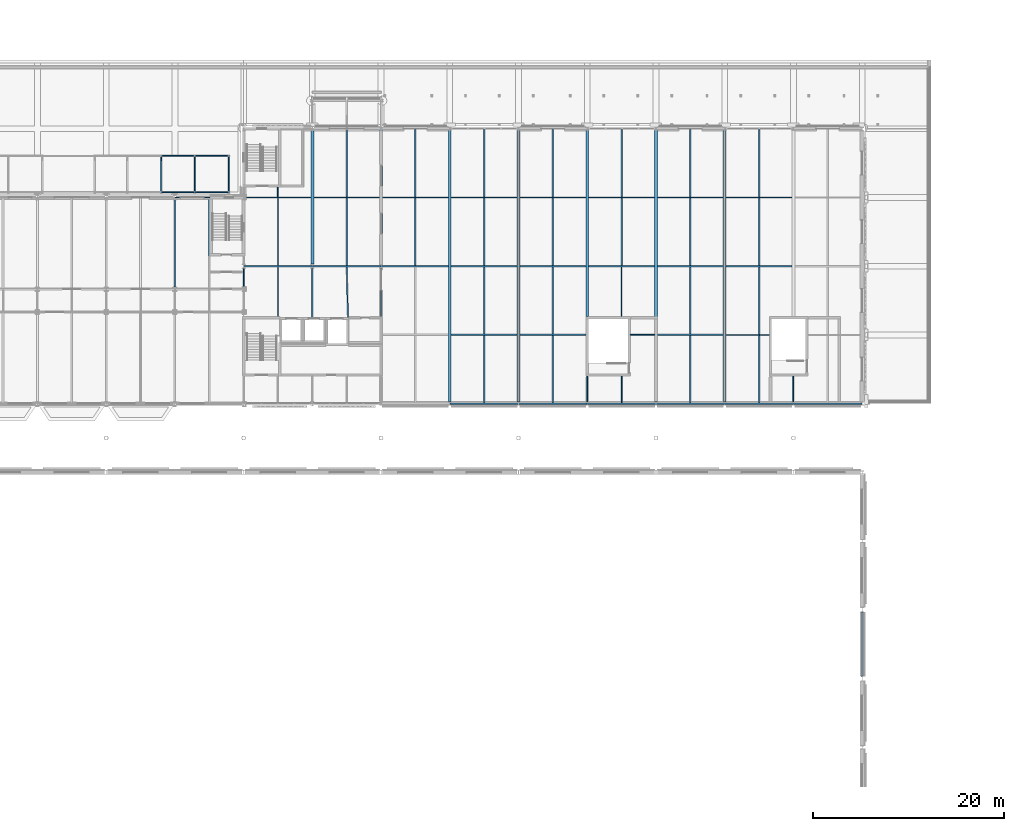
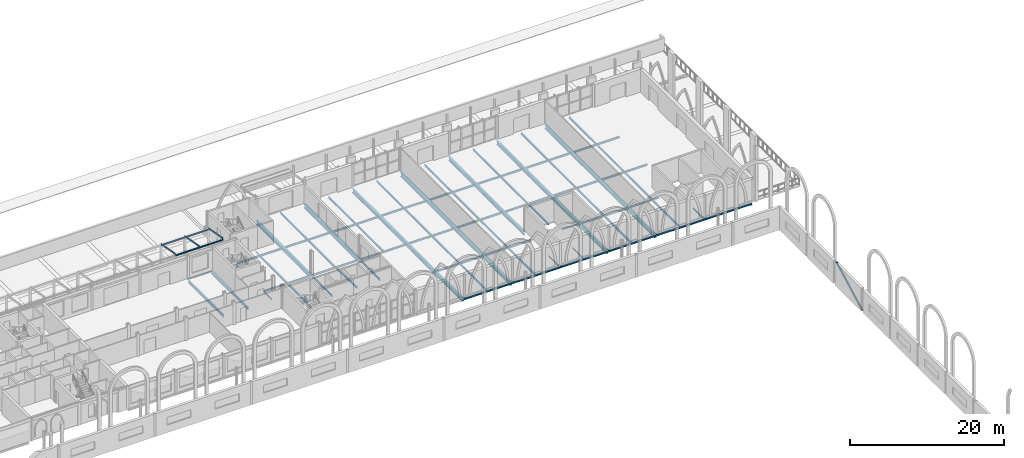
# One storey, part 56 of 143: 77 beams, 1 member.
"""IFC4 building model written with IfcOpenShell, lengths in metres."""

from ifc_helpers import new_model, si_unit, direction, frame, origin, origin_2d, place, context, subcontext, project, spatial, hollow_circle, i_section, extrude, material, material_profile, profile_set, type_object, element, save


model = new_model("IFC4")

# Units and contexts
model_context = context("Model", 3, precision=1e-05, world=origin(), true_north=direction((0.0, 1.0)))
body_context = subcontext(model_context, "Body", "Model", "MODEL_VIEW")
ifc_project = project(units=[si_unit("LENGTHUNIT", "METRE"), si_unit("AREAUNIT", "SQUARE_METRE"), si_unit("VOLUMEUNIT", "CUBIC_METRE"), si_unit("PLANEANGLEUNIT", "RADIAN"), si_unit("MASSUNIT", "GRAM", prefix="KILO")], contexts=[model_context])

# Site, building, storey
site_placement = place(None, origin())
site = spatial("IfcSite", under=ifc_project, at=site_placement, CompositionType="ELEMENT")
building_placement = place(site_placement, origin())
building = spatial("IfcBuilding", under=site, at=building_placement, Name="Kupolbacken Congress Centre", CompositionType="ELEMENT")
storey_placement = place(building_placement, frame((0.0, 0.0, 7.199951171875)))
storey = spatial("IfcBuildingStorey", under=building, at=storey_placement, Name="L02", CompositionType="ELEMENT", Elevation=7.199951171875)

# Beams
ifc_material_1 = material(Name="Steel S355", Category="steel")
ifc_material_profile_1 = material_profile(ifc_material_1, i_section(OverallWidth=0.10009765625, OverallDepth=0.199951171875, WebThickness=0.005615234375, FlangeThickness=0.008544921875, FilletRadius=0.011962890625, at=origin_2d()), Name="IPE 200")
ifc_profile_set_1 = profile_set([ifc_material_profile_1], Name="Steel S355")
beam_type_1 = type_object("IfcBeamType", Name="B01 beam IPE 200", PredefinedType="BEAM", material=ifc_profile_set_1)
beam_1_placement = place(storey_placement, frame((129.610595703125, 144.0, -0.280029296875), z_axis=(1.0, 0.0, 0.0), x_axis=(0.0, 1.0, 0.0)))
element("IfcBeam", 1, at=beam_1_placement, inside=storey, type_object=beam_type_1, Name="S/floor/T/L02/R030", PredefinedType="BEAM", context=body_context, shape_type="SweptSolid", body=[
    extrude(i_section(OverallWidth=0.10009765625, OverallDepth=0.199951171875, WebThickness=0.005615234375, FlangeThickness=0.008544921875, FilletRadius=0.011962890625, at=origin_2d()), origin(), (0.0, 0.0, 1.0), 3.639404296875),
])
beam_2_placement = place(storey_placement, frame((136.800048828125, 134.625, -0.280029296875), z_axis=(0.0, 1.0, 0.0), x_axis=(-1.0, 0.0, 0.0)))
element("IfcBeam", 2, at=beam_2_placement, inside=storey, type_object=beam_type_1, Name="S/floor/T/L02/S078", PredefinedType="BEAM", context=body_context, shape_type="SweptSolid", body=[
    extrude(i_section(OverallWidth=0.10009765625, OverallDepth=0.199951171875, WebThickness=0.005615234375, FlangeThickness=0.008544921875, FilletRadius=0.011962890625, at=origin_2d()), origin(), (0.0, 0.0, 1.0), 1.949951171875),
])
beam_3_placement = place(storey_placement, frame((140.39990234375, 144.074951171875, -0.280029296875), z_axis=(0.0, 1.0, 0.0), x_axis=(-1.0, 0.0, 0.0)))
element("IfcBeam", 3, at=beam_3_placement, inside=storey, type_object=beam_type_1, Name="S/floor/BF/L02/S019", PredefinedType="BEAM", context=body_context, shape_type="SweptSolid", body=[
    extrude(i_section(OverallWidth=0.10009765625, OverallDepth=0.199951171875, WebThickness=0.005615234375, FlangeThickness=0.008544921875, FilletRadius=0.011962890625, at=origin_2d()), origin(), (0.0, 0.0, 1.0), 1.0),
])
for number, where, z_axis, x_axis, name in (
    (4, (172.800048828125, 122.550048828125, -0.320068359375), (0.0, 1.0, 0.0), (-1.0, 0.0, 0.0), "S/floor/B/L02/G003"),
    (5, (194.39990234375, 122.550048828125, -0.320068359375), (0.0, 1.0, 0.0), (-1.0, 0.0, 0.0), "S/floor/B/L02/G007"),
):
    element("IfcBeam", number, at=place(storey_placement, frame(where, z_axis=z_axis, x_axis=x_axis)), inside=storey, type_object=beam_type_1, Name=name, PredefinedType="BEAM", context=body_context, shape_type="SweptSolid", body=[
        extrude(i_section(OverallWidth=0.10009765625, OverallDepth=0.199951171875, WebThickness=0.005615234375, FlangeThickness=0.008544921875, FilletRadius=0.011962890625, at=origin_2d()), origin(), (0.0, 0.0, 1.0), 2.724853515625),
    ])
beam_4_placement = place(storey_placement, frame((177.324951171875, 129.60009765625, -0.320068359375), z_axis=(1.0, 0.0, 0.0), x_axis=(0.0, 1.0, 0.0)))
element("IfcBeam", 6, at=beam_4_placement, inside=storey, type_object=beam_type_1, Name="S/floor/B/L02/R020", PredefinedType="BEAM", context=body_context, shape_type="SweptSolid", body=[
    extrude(i_section(OverallWidth=0.10009765625, OverallDepth=0.199951171875, WebThickness=0.005615234375, FlangeThickness=0.008544921875, FilletRadius=0.011962890625, at=origin_2d()), origin(), (0.0, 0.0, 1.0), 2.525146484375),
])
beam_5_placement = place(storey_placement, frame((176.39990234375, 122.47509765625, -0.320068359375), z_axis=(0.0, 1.0, 0.0), x_axis=(-1.0, 0.0, 0.0)))
element("IfcBeam", 7, at=beam_5_placement, inside=storey, type_object=beam_type_1, Name="S/floor/B/L02/S057", PredefinedType="BEAM", context=body_context, shape_type="SweptSolid", body=[
    extrude(i_section(OverallWidth=0.10009765625, OverallDepth=0.199951171875, WebThickness=0.005615234375, FlangeThickness=0.008544921875, FilletRadius=0.011962890625, at=origin_2d()), origin(), (0.0, 0.0, 1.0), 2.7998046875),
])
for number, where, z_axis, x_axis, name in (
    (8, (128.14990234375, 144.550048828125, 3.68994140625), (1.0, 0.0, 0.0), (0.0, 1.0, 0.0), "Covered passage eaves beam"),
    (9, (128.14990234375, 148.35009765625, 2.989990234375), (1.0, 0.0, 0.0), (0.0, 1.0, 0.0), "Covered passage eaves beam"),
    (10, (131.699951171875, 144.550048828125, 3.68994140625), (1.0, 0.0, 0.0), (0.0, 1.0, 0.0), "Covered passage eaves beam"),
    (11, (131.699951171875, 148.35009765625, 2.989990234375), (1.0, 0.0, 0.0), (0.0, 1.0, 0.0), "Covered passage eaves beam"),
):
    element("IfcBeam", number, at=place(storey_placement, frame(where, z_axis=z_axis, x_axis=x_axis)), inside=storey, type_object=beam_type_1, Name=name, PredefinedType="BEAM", context=body_context, shape_type="SweptSolid", body=[
        extrude(i_section(OverallWidth=0.10009765625, OverallDepth=0.199951171875, WebThickness=0.005615234375, FlangeThickness=0.008544921875, FilletRadius=0.011962890625, at=origin_2d()), origin(), (0.0, 0.0, 1.0), 3.550048828125),
    ])
for number, where, z_axis, x_axis, name in (
    (12, (128.14990234375, 144.550048828125, 3.89013671875), (0.0, 0.983444596616, -0.181209065409), (-1.0, 0.0, 0.0), "Covered passage rafter"),
    (13, (131.699951171875, 144.550048828125, 3.89013671875), (0.0, 0.983444596616, -0.181209065409), (-1.0, 0.0, 0.0), "Covered passage rafter"),
    (14, (135.25, 144.550048828125, 3.89013671875), (0.0, 0.983444596616, -0.181209065409), (-1.0, 0.0, 0.0), "Covered passage rafter"),
):
    element("IfcBeam", number, at=place(storey_placement, frame(where, z_axis=z_axis, x_axis=x_axis)), inside=storey, type_object=beam_type_1, Name=name, PredefinedType="BEAM", context=body_context, shape_type="SweptSolid", body=[
        extrude(i_section(OverallWidth=0.10009765625, OverallDepth=0.199951171875, WebThickness=0.005615234375, FlangeThickness=0.008544921875, FilletRadius=0.011962890625, at=origin_2d()), origin(), (0.0, 0.0, 1.0), 3.864013671875),
    ])
ifc_material_2 = material(Name="Steel S355", Category="steel")
ifc_material_profile_2 = material_profile(ifc_material_2, i_section(OverallWidth=0.135009765625, OverallDepth=0.27001953125, WebThickness=0.006591796875, FlangeThickness=0.01025390625, FilletRadius=0.014892578125, at=origin_2d()), Name="IPE 270")
ifc_profile_set_2 = profile_set([ifc_material_profile_2], Name="Steel S355")
beam_type_2 = type_object("IfcBeamType", Name="B03 beam IPE 270", PredefinedType="BEAM", material=ifc_profile_set_2)
beam_6_placement = place(storey_placement, frame((144.0, 131.39990234375, -0.31494140625), z_axis=(0.0, 1.0, 0.0), x_axis=(-1.0, 0.0, 0.0)))
element("IfcBeam", 15, at=beam_6_placement, inside=storey, type_object=beam_type_2, Name="S/floor/BF/L02/G003", PredefinedType="BEAM", context=body_context, shape_type="SweptSolid", body=[
    extrude(i_section(OverallWidth=0.135009765625, OverallDepth=0.27001953125, WebThickness=0.006591796875, FlangeThickness=0.01025390625, FilletRadius=0.014892578125, at=origin_2d()), origin(), (0.0, 0.0, 1.0), 5.175048828125),
])
beam_7_placement = place(storey_placement, frame((151.199951171875, 131.5, -0.31494140625), z_axis=(0.0, 1.0, 0.0), x_axis=(-1.0, 0.0, 0.0)))
element("IfcBeam", 16, at=beam_7_placement, inside=storey, type_object=beam_type_2, Name="S/floor/BF/L02/G006", PredefinedType="BEAM", context=body_context, shape_type="SweptSolid", body=[
    extrude(i_section(OverallWidth=0.135009765625, OverallDepth=0.27001953125, WebThickness=0.006591796875, FlangeThickness=0.01025390625, FilletRadius=0.014892578125, at=origin_2d()), origin(), (0.0, 0.0, 1.0), 5.14990234375),
])
beam_8_placement = place(storey_placement, frame((140.39990234375, 131.52490234375, -0.31494140625), z_axis=(0.0, 1.0, 0.0), x_axis=(-1.0, 0.0, 0.0)))
element("IfcBeam", 17, at=beam_8_placement, inside=storey, type_object=beam_type_2, Name="S/floor/BF/L02/S017", PredefinedType="BEAM", context=body_context, shape_type="SweptSolid", body=[
    extrude(i_section(OverallWidth=0.135009765625, OverallDepth=0.27001953125, WebThickness=0.006591796875, FlangeThickness=0.01025390625, FilletRadius=0.014892578125, at=origin_2d()), origin(), (0.0, 0.0, 1.0), 5.2001953125),
])
beam_9_placement = place(storey_placement, frame((147.732666015625, 131.39990234375, -0.31494140625), z_axis=(-0.02488684298, 0.999690274558, 0.0), x_axis=(-0.999690274558, -0.02488684298, 0.0)))
element("IfcBeam", 18, at=beam_9_placement, inside=storey, type_object=beam_type_2, Name="S/floor/BF/L02/S021", PredefinedType="BEAM", context=body_context, shape_type="SweptSolid", body=[
    extrude(i_section(OverallWidth=0.135009765625, OverallDepth=0.27001953125, WebThickness=0.006591796875, FlangeThickness=0.01025390625, FilletRadius=0.014892578125, at=origin_2d()), origin(), (0.0, 0.0, 1.0), 5.326904296875),
])
beam_10_placement = place(storey_placement, frame((187.35009765625, 129.60009765625, -0.35498046875), z_axis=(1.0, 0.0, 0.0), x_axis=(0.0, 1.0, 0.0)))
element("IfcBeam", 19, at=beam_10_placement, inside=storey, type_object=beam_type_2, Name="S/floor/B/L02/R022", PredefinedType="BEAM", context=body_context, shape_type="SweptSolid", body=[
    extrude(i_section(OverallWidth=0.135009765625, OverallDepth=0.27001953125, WebThickness=0.006591796875, FlangeThickness=0.01025390625, FilletRadius=0.014892578125, at=origin_2d()), origin(), (0.0, 0.0, 1.0), 4.52490234375),
])
beam_11_placement = place(storey_placement, frame((176.39990234375, 131.52490234375, -0.35498046875), z_axis=(0.0, 1.0, 0.0), x_axis=(-1.0, 0.0, 0.0)))
element("IfcBeam", 20, at=beam_11_placement, inside=storey, type_object=beam_type_2, Name="S/floor/B/L02/S058", PredefinedType="BEAM", context=body_context, shape_type="SweptSolid", body=[
    extrude(i_section(OverallWidth=0.135009765625, OverallDepth=0.27001953125, WebThickness=0.006591796875, FlangeThickness=0.01025390625, FilletRadius=0.014892578125, at=origin_2d()), origin(), (0.0, 0.0, 1.0), 5.2001953125),
])
ifc_material_3 = material(Name="Steel S355", Category="steel")
ifc_material_profile_3 = material_profile(ifc_material_3, i_section(OverallWidth=0.14990234375, OverallDepth=0.300048828125, WebThickness=0.007080078125, FlangeThickness=0.0107421875, FilletRadius=0.014892578125, at=origin_2d()), Name="IPE 300")
ifc_profile_set_3 = profile_set([ifc_material_profile_3], Name="Steel S355")
beam_type_3 = type_object("IfcBeamType", Name="B04 beam IPE 300", PredefinedType="BEAM", material=ifc_profile_set_3)
beam_12_placement = place(storey_placement, frame((136.806884765625, 136.800048828125, -0.329833984375), z_axis=(1.0, 0.0, 0.0), x_axis=(0.0, 1.0, 0.0)))
element("IfcBeam", 21, at=beam_12_placement, inside=storey, type_object=beam_type_3, Name="S/floor/BF/L02/R010", PredefinedType="BEAM", context=body_context, shape_type="SweptSolid", body=[
    extrude(i_section(OverallWidth=0.14990234375, OverallDepth=0.300048828125, WebThickness=0.007080078125, FlangeThickness=0.0107421875, FilletRadius=0.014892578125, at=origin_2d()), origin(), (0.0, 0.0, 1.0), 7.18603515625),
])
beam_13_placement = place(storey_placement, frame((144.007080078125, 136.800048828125, -0.329833984375), z_axis=(1.0, 0.0, 0.0), x_axis=(0.0, 1.0, 0.0)))
element("IfcBeam", 22, at=beam_13_placement, inside=storey, type_object=beam_type_3, Name="S/floor/BF/L02/R011", PredefinedType="BEAM", context=body_context, shape_type="SweptSolid", body=[
    extrude(i_section(OverallWidth=0.14990234375, OverallDepth=0.300048828125, WebThickness=0.007080078125, FlangeThickness=0.0107421875, FilletRadius=0.014892578125, at=origin_2d()), origin(), (0.0, 0.0, 1.0), 7.1875),
])
for number, where, z_axis, x_axis, name in (
    (23, (136.949951171875, 144.0, -0.329833984375), (1.0, 0.0, 0.0), (0.0, 1.0, 0.0), "S/floor/BF/L02/R012"),
    (24, (144.14990234375, 144.0, -0.329833984375), (1.0, 0.0, 0.0), (0.0, 1.0, 0.0), "S/floor/BF/L02/R013"),
):
    element("IfcBeam", number, at=place(storey_placement, frame(where, z_axis=z_axis, x_axis=x_axis)), inside=storey, type_object=beam_type_3, Name=name, PredefinedType="BEAM", context=body_context, shape_type="SweptSolid", body=[
        extrude(i_section(OverallWidth=0.14990234375, OverallDepth=0.300048828125, WebThickness=0.007080078125, FlangeThickness=0.0107421875, FilletRadius=0.014892578125, at=origin_2d()), origin(), (0.0, 0.0, 1.0), 6.900146484375),
    ])
for number, where, z_axis, x_axis, name in (
    (25, (140.39990234375, 136.875, -0.329833984375), (0.0, 1.0, 0.0), (-1.0, 0.0, 0.0), "S/floor/BF/L02/S018"),
    (26, (147.60009765625, 136.875, -0.329833984375), (0.0, 1.0, 0.0), (-1.0, 0.0, 0.0), "S/floor/BF/L02/S022"),
    (27, (147.60009765625, 144.074951171875, -0.329833984375), (0.0, 1.0, 0.0), (-1.0, 0.0, 0.0), "S/floor/BF/L02/S023"),
):
    element("IfcBeam", number, at=place(storey_placement, frame(where, z_axis=z_axis, x_axis=x_axis)), inside=storey, type_object=beam_type_3, Name=name, PredefinedType="BEAM", context=body_context, shape_type="SweptSolid", body=[
        extrude(i_section(OverallWidth=0.14990234375, OverallDepth=0.300048828125, WebThickness=0.007080078125, FlangeThickness=0.0107421875, FilletRadius=0.014892578125, at=origin_2d()), origin(), (0.0, 0.0, 1.0), 7.050048828125),
    ])
for number, where, z_axis, x_axis, name in (
    (28, (158.405517578125, 122.39990234375, -0.369873046875), (1.0, 0.0, 0.0), (0.0, 1.0, 0.0), "S/floor/B/L02/R011"),
    (29, (165.60546875, 122.39990234375, -0.369873046875), (1.0, 0.0, 0.0), (0.0, 1.0, 0.0), "S/floor/B/L02/R012"),
    (30, (172.805419921875, 122.39990234375, -0.369873046875), (1.0, 0.0, 0.0), (0.0, 1.0, 0.0), "S/floor/B/L02/R013"),
    (31, (180.005615234375, 122.39990234375, -0.369873046875), (1.0, 0.0, 0.0), (0.0, 1.0, 0.0), "S/floor/B/L02/R014"),
    (32, (187.20556640625, 122.39990234375, -0.369873046875), (1.0, 0.0, 0.0), (0.0, 1.0, 0.0), "S/floor/B/L02/R015"),
    (33, (194.405517578125, 122.39990234375, -0.369873046875), (1.0, 0.0, 0.0), (0.0, 1.0, 0.0), "S/floor/B/L02/R016"),
):
    element("IfcBeam", number, at=place(storey_placement, frame(where, z_axis=z_axis, x_axis=x_axis)), inside=storey, type_object=beam_type_3, Name=name, PredefinedType="BEAM", context=body_context, shape_type="SweptSolid", body=[
        extrude(i_section(OverallWidth=0.14990234375, OverallDepth=0.300048828125, WebThickness=0.007080078125, FlangeThickness=0.0107421875, FilletRadius=0.014892578125, at=origin_2d()), origin(), (0.0, 0.0, 1.0), 7.18896484375),
    ])
beam_14_placement = place(storey_placement, frame((158.550048828125, 129.60009765625, -0.369873046875), z_axis=(1.0, 0.0, 0.0), x_axis=(0.0, 1.0, 0.0)))
element("IfcBeam", 34, at=beam_14_placement, inside=storey, type_object=beam_type_3, Name="S/floor/B/L02/R018", PredefinedType="BEAM", context=body_context, shape_type="SweptSolid", body=[
    extrude(i_section(OverallWidth=0.14990234375, OverallDepth=0.300048828125, WebThickness=0.007080078125, FlangeThickness=0.0107421875, FilletRadius=0.014892578125, at=origin_2d()), origin(), (0.0, 0.0, 1.0), 6.89990234375),
])
beam_15_placement = place(storey_placement, frame((165.75, 129.60009765625, -0.369873046875), z_axis=(1.0, 0.0, 0.0), x_axis=(0.0, 1.0, 0.0)))
element("IfcBeam", 35, at=beam_15_placement, inside=storey, type_object=beam_type_3, Name="S/floor/B/L02/R019", PredefinedType="BEAM", context=body_context, shape_type="SweptSolid", body=[
    extrude(i_section(OverallWidth=0.14990234375, OverallDepth=0.300048828125, WebThickness=0.007080078125, FlangeThickness=0.0107421875, FilletRadius=0.014892578125, at=origin_2d()), origin(), (0.0, 0.0, 1.0), 6.925048828125),
])
beam_16_placement = place(storey_placement, frame((180.14990234375, 129.60009765625, -0.369873046875), z_axis=(1.0, 0.0, 0.0), x_axis=(0.0, 1.0, 0.0)))
element("IfcBeam", 36, at=beam_16_placement, inside=storey, type_object=beam_type_3, Name="S/floor/B/L02/R021", PredefinedType="BEAM", context=body_context, shape_type="SweptSolid", body=[
    extrude(i_section(OverallWidth=0.14990234375, OverallDepth=0.300048828125, WebThickness=0.007080078125, FlangeThickness=0.0107421875, FilletRadius=0.014892578125, at=origin_2d()), origin(), (0.0, 0.0, 1.0), 6.900146484375),
])
beam_17_placement = place(storey_placement, frame((151.20556640625, 136.800048828125, -0.369873046875), z_axis=(1.0, 0.0, 0.0), x_axis=(0.0, 1.0, 0.0)))
element("IfcBeam", 37, at=beam_17_placement, inside=storey, type_object=beam_type_3, Name="S/floor/B/L02/R024", PredefinedType="BEAM", context=body_context, shape_type="SweptSolid", body=[
    extrude(i_section(OverallWidth=0.14990234375, OverallDepth=0.300048828125, WebThickness=0.007080078125, FlangeThickness=0.0107421875, FilletRadius=0.014892578125, at=origin_2d()), origin(), (0.0, 0.0, 1.0), 7.04443359375),
])
for number, where, z_axis, x_axis, name in (
    (38, (158.550048828125, 136.800048828125, -0.369873046875), (1.0, 0.0, 0.0), (0.0, 1.0, 0.0), "S/floor/B/L02/R025"),
    (39, (165.75, 136.800048828125, -0.369873046875), (1.0, 0.0, 0.0), (0.0, 1.0, 0.0), "S/floor/B/L02/R026"),
):
    element("IfcBeam", number, at=place(storey_placement, frame(where, z_axis=z_axis, x_axis=x_axis)), inside=storey, type_object=beam_type_3, Name=name, PredefinedType="BEAM", context=body_context, shape_type="SweptSolid", body=[
        extrude(i_section(OverallWidth=0.14990234375, OverallDepth=0.300048828125, WebThickness=0.007080078125, FlangeThickness=0.0107421875, FilletRadius=0.014892578125, at=origin_2d()), origin(), (0.0, 0.0, 1.0), 6.89990234375),
    ])
for number, where, z_axis, x_axis, name in (
    (40, (172.949951171875, 136.800048828125, -0.369873046875), (1.0, 0.0, 0.0), (0.0, 1.0, 0.0), "S/floor/B/L02/R027"),
    (41, (180.14990234375, 136.800048828125, -0.369873046875), (1.0, 0.0, 0.0), (0.0, 1.0, 0.0), "S/floor/B/L02/R028"),
):
    element("IfcBeam", number, at=place(storey_placement, frame(where, z_axis=z_axis, x_axis=x_axis)), inside=storey, type_object=beam_type_3, Name=name, PredefinedType="BEAM", context=body_context, shape_type="SweptSolid", body=[
        extrude(i_section(OverallWidth=0.14990234375, OverallDepth=0.300048828125, WebThickness=0.007080078125, FlangeThickness=0.0107421875, FilletRadius=0.014892578125, at=origin_2d()), origin(), (0.0, 0.0, 1.0), 6.900146484375),
    ])
for number, where, z_axis, x_axis, name in (
    (42, (187.35009765625, 136.800048828125, -0.369873046875), (1.0, 0.0, 0.0), (0.0, 1.0, 0.0), "S/floor/B/L02/R029"),
    (43, (151.35009765625, 144.0, -0.369873046875), (1.0, 0.0, 0.0), (0.0, 1.0, 0.0), "S/floor/B/L02/R031"),
    (44, (158.550048828125, 144.0, -0.369873046875), (1.0, 0.0, 0.0), (0.0, 1.0, 0.0), "S/floor/B/L02/R032"),
    (45, (165.75, 144.0, -0.369873046875), (1.0, 0.0, 0.0), (0.0, 1.0, 0.0), "S/floor/B/L02/R033"),
):
    element("IfcBeam", number, at=place(storey_placement, frame(where, z_axis=z_axis, x_axis=x_axis)), inside=storey, type_object=beam_type_3, Name=name, PredefinedType="BEAM", context=body_context, shape_type="SweptSolid", body=[
        extrude(i_section(OverallWidth=0.14990234375, OverallDepth=0.300048828125, WebThickness=0.007080078125, FlangeThickness=0.0107421875, FilletRadius=0.014892578125, at=origin_2d()), origin(), (0.0, 0.0, 1.0), 6.89990234375),
    ])
for number, where, z_axis, x_axis, name in (
    (46, (172.949951171875, 144.0, -0.369873046875), (1.0, 0.0, 0.0), (0.0, 1.0, 0.0), "S/floor/B/L02/R034"),
    (47, (180.14990234375, 144.0, -0.369873046875), (1.0, 0.0, 0.0), (0.0, 1.0, 0.0), "S/floor/B/L02/R035"),
):
    element("IfcBeam", number, at=place(storey_placement, frame(where, z_axis=z_axis, x_axis=x_axis)), inside=storey, type_object=beam_type_3, Name=name, PredefinedType="BEAM", context=body_context, shape_type="SweptSolid", body=[
        extrude(i_section(OverallWidth=0.14990234375, OverallDepth=0.300048828125, WebThickness=0.007080078125, FlangeThickness=0.0107421875, FilletRadius=0.014892578125, at=origin_2d()), origin(), (0.0, 0.0, 1.0), 6.900146484375),
    ])
beam_18_placement = place(storey_placement, frame((187.35009765625, 144.0, -0.369873046875), z_axis=(1.0, 0.0, 0.0), x_axis=(0.0, 1.0, 0.0)))
element("IfcBeam", 48, at=beam_18_placement, inside=storey, type_object=beam_type_3, Name="S/floor/B/L02/R036", PredefinedType="BEAM", context=body_context, shape_type="SweptSolid", body=[
    extrude(i_section(OverallWidth=0.14990234375, OverallDepth=0.300048828125, WebThickness=0.007080078125, FlangeThickness=0.0107421875, FilletRadius=0.014892578125, at=origin_2d()), origin(), (0.0, 0.0, 1.0), 6.89990234375),
])
for number, where, z_axis, x_axis, name in (
    (49, (154.800048828125, 136.875, -0.369873046875), (0.0, 1.0, 0.0), (-1.0, 0.0, 0.0), "S/floor/B/L02/S047"),
    (50, (154.800048828125, 144.074951171875, -0.369873046875), (0.0, 1.0, 0.0), (-1.0, 0.0, 0.0), "S/floor/B/L02/S048"),
):
    element("IfcBeam", number, at=place(storey_placement, frame(where, z_axis=z_axis, x_axis=x_axis)), inside=storey, type_object=beam_type_3, Name=name, PredefinedType="BEAM", context=body_context, shape_type="SweptSolid", body=[
        extrude(i_section(OverallWidth=0.14990234375, OverallDepth=0.300048828125, WebThickness=0.007080078125, FlangeThickness=0.0107421875, FilletRadius=0.014892578125, at=origin_2d()), origin(), (0.0, 0.0, 1.0), 7.050048828125),
    ])
beam_19_placement = place(storey_placement, frame((162.0, 122.47509765625, -0.369873046875), z_axis=(0.0, 1.0, 0.0), x_axis=(-1.0, 0.0, 0.0)))
element("IfcBeam", 51, at=beam_19_placement, inside=storey, type_object=beam_type_3, Name="S/floor/B/L02/S049", PredefinedType="BEAM", context=body_context, shape_type="SweptSolid", body=[
    extrude(i_section(OverallWidth=0.14990234375, OverallDepth=0.300048828125, WebThickness=0.007080078125, FlangeThickness=0.0107421875, FilletRadius=0.014892578125, at=origin_2d()), origin(), (0.0, 0.0, 1.0), 7.0498046875),
])
for number, where, z_axis, x_axis, name in (
    (52, (162.0, 129.675048828125, -0.369873046875), (0.0, 1.0, 0.0), (-1.0, 0.0, 0.0), "S/floor/B/L02/S050"),
    (53, (162.0, 136.875, -0.369873046875), (0.0, 1.0, 0.0), (-1.0, 0.0, 0.0), "S/floor/B/L02/S051"),
    (54, (162.0, 144.074951171875, -0.369873046875), (0.0, 1.0, 0.0), (-1.0, 0.0, 0.0), "S/floor/B/L02/S052"),
):
    element("IfcBeam", number, at=place(storey_placement, frame(where, z_axis=z_axis, x_axis=x_axis)), inside=storey, type_object=beam_type_3, Name=name, PredefinedType="BEAM", context=body_context, shape_type="SweptSolid", body=[
        extrude(i_section(OverallWidth=0.14990234375, OverallDepth=0.300048828125, WebThickness=0.007080078125, FlangeThickness=0.0107421875, FilletRadius=0.014892578125, at=origin_2d()), origin(), (0.0, 0.0, 1.0), 7.050048828125),
    ])
beam_20_placement = place(storey_placement, frame((169.199951171875, 122.47509765625, -0.369873046875), z_axis=(0.0, 1.0, 0.0), x_axis=(-1.0, 0.0, 0.0)))
element("IfcBeam", 55, at=beam_20_placement, inside=storey, type_object=beam_type_3, Name="S/floor/B/L02/S053", PredefinedType="BEAM", context=body_context, shape_type="SweptSolid", body=[
    extrude(i_section(OverallWidth=0.14990234375, OverallDepth=0.300048828125, WebThickness=0.007080078125, FlangeThickness=0.0107421875, FilletRadius=0.014892578125, at=origin_2d()), origin(), (0.0, 0.0, 1.0), 7.0498046875),
])
for number, where, z_axis, x_axis, name in (
    (56, (169.199951171875, 129.675048828125, -0.369873046875), (0.0, 1.0, 0.0), (-1.0, 0.0, 0.0), "S/floor/B/L02/S054"),
    (57, (169.199951171875, 136.875, -0.369873046875), (0.0, 1.0, 0.0), (-1.0, 0.0, 0.0), "S/floor/B/L02/S055"),
    (58, (169.199951171875, 144.074951171875, -0.369873046875), (0.0, 1.0, 0.0), (-1.0, 0.0, 0.0), "S/floor/B/L02/S056"),
    (59, (176.39990234375, 136.875, -0.369873046875), (0.0, 1.0, 0.0), (-1.0, 0.0, 0.0), "S/floor/B/L02/S059"),
    (60, (176.39990234375, 144.074951171875, -0.369873046875), (0.0, 1.0, 0.0), (-1.0, 0.0, 0.0), "S/floor/B/L02/S060"),
):
    element("IfcBeam", number, at=place(storey_placement, frame(where, z_axis=z_axis, x_axis=x_axis)), inside=storey, type_object=beam_type_3, Name=name, PredefinedType="BEAM", context=body_context, shape_type="SweptSolid", body=[
        extrude(i_section(OverallWidth=0.14990234375, OverallDepth=0.300048828125, WebThickness=0.007080078125, FlangeThickness=0.0107421875, FilletRadius=0.014892578125, at=origin_2d()), origin(), (0.0, 0.0, 1.0), 7.050048828125),
    ])
beam_21_placement = place(storey_placement, frame((183.60009765625, 122.47509765625, -0.369873046875), z_axis=(0.0, 1.0, 0.0), x_axis=(-1.0, 0.0, 0.0)))
element("IfcBeam", 61, at=beam_21_placement, inside=storey, type_object=beam_type_3, Name="S/floor/B/L02/S061", PredefinedType="BEAM", context=body_context, shape_type="SweptSolid", body=[
    extrude(i_section(OverallWidth=0.14990234375, OverallDepth=0.300048828125, WebThickness=0.007080078125, FlangeThickness=0.0107421875, FilletRadius=0.014892578125, at=origin_2d()), origin(), (0.0, 0.0, 1.0), 7.0498046875),
])
for number, where, z_axis, x_axis, name in (
    (62, (183.60009765625, 129.675048828125, -0.369873046875), (0.0, 1.0, 0.0), (-1.0, 0.0, 0.0), "S/floor/B/L02/S062"),
    (63, (183.60009765625, 136.875, -0.369873046875), (0.0, 1.0, 0.0), (-1.0, 0.0, 0.0), "S/floor/B/L02/S063"),
    (64, (183.60009765625, 144.074951171875, -0.369873046875), (0.0, 1.0, 0.0), (-1.0, 0.0, 0.0), "S/floor/B/L02/S064"),
):
    element("IfcBeam", number, at=place(storey_placement, frame(where, z_axis=z_axis, x_axis=x_axis)), inside=storey, type_object=beam_type_3, Name=name, PredefinedType="BEAM", context=body_context, shape_type="SweptSolid", body=[
        extrude(i_section(OverallWidth=0.14990234375, OverallDepth=0.300048828125, WebThickness=0.007080078125, FlangeThickness=0.0107421875, FilletRadius=0.014892578125, at=origin_2d()), origin(), (0.0, 0.0, 1.0), 7.050048828125),
    ])
beam_22_placement = place(storey_placement, frame((190.800048828125, 122.47509765625, -0.369873046875), z_axis=(0.0, 1.0, 0.0), x_axis=(-1.0, 0.0, 0.0)))
element("IfcBeam", 65, at=beam_22_placement, inside=storey, type_object=beam_type_3, Name="S/floor/B/L02/S065", PredefinedType="BEAM", context=body_context, shape_type="SweptSolid", body=[
    extrude(i_section(OverallWidth=0.14990234375, OverallDepth=0.300048828125, WebThickness=0.007080078125, FlangeThickness=0.0107421875, FilletRadius=0.014892578125, at=origin_2d()), origin(), (0.0, 0.0, 1.0), 7.057373046875),
])
beam_23_placement = place(storey_placement, frame((190.800048828125, 129.66748046875, -0.369873046875), z_axis=(0.0, 1.0, 0.0), x_axis=(-1.0, 0.0, 0.0)))
element("IfcBeam", 66, at=beam_23_placement, inside=storey, type_object=beam_type_3, Name="S/floor/B/L02/S066", PredefinedType="BEAM", context=body_context, shape_type="SweptSolid", body=[
    extrude(i_section(OverallWidth=0.14990234375, OverallDepth=0.300048828125, WebThickness=0.007080078125, FlangeThickness=0.0107421875, FilletRadius=0.014892578125, at=origin_2d()), origin(), (0.0, 0.0, 1.0), 7.0576171875),
])
for number, where, z_axis, x_axis, name in (
    (67, (190.800048828125, 136.875, -0.369873046875), (0.0, 1.0, 0.0), (-1.0, 0.0, 0.0), "S/floor/B/L02/S067"),
    (68, (190.800048828125, 144.074951171875, -0.369873046875), (0.0, 1.0, 0.0), (-1.0, 0.0, 0.0), "S/floor/B/L02/S068"),
):
    element("IfcBeam", number, at=place(storey_placement, frame(where, z_axis=z_axis, x_axis=x_axis)), inside=storey, type_object=beam_type_3, Name=name, PredefinedType="BEAM", context=body_context, shape_type="SweptSolid", body=[
        extrude(i_section(OverallWidth=0.14990234375, OverallDepth=0.300048828125, WebThickness=0.007080078125, FlangeThickness=0.0107421875, FilletRadius=0.014892578125, at=origin_2d()), origin(), (0.0, 0.0, 1.0), 7.050048828125),
    ])
ifc_material_4 = material(Name="Steel S355", Category="steel")
ifc_material_profile_4 = material_profile(ifc_material_4, i_section(OverallWidth=0.179931640625, OverallDepth=0.39990234375, WebThickness=0.008544921875, FlangeThickness=0.013427734375, FilletRadius=0.02099609375, at=origin_2d()), Name="IPE 400")
ifc_profile_set_4 = profile_set([ifc_material_profile_4], Name="Steel S355")
beam_type_4 = type_object("IfcBeamType", Name="B07 beam IPE 400", PredefinedType="BEAM", material=ifc_profile_set_4)
beam_24_placement = place(storey_placement, frame((129.60009765625, 134.612548828125, -0.3798828125), z_axis=(0.0, 1.0, 0.0), x_axis=(-1.0, 0.0, 0.0)))
element("IfcBeam", 69, at=beam_24_placement, inside=storey, type_object=beam_type_4, Name="S/floor/T/L02/S072", PredefinedType="BEAM", context=body_context, shape_type="SweptSolid", body=[
    extrude(i_section(OverallWidth=0.179931640625, OverallDepth=0.39990234375, WebThickness=0.008544921875, FlangeThickness=0.013427734375, FilletRadius=0.02099609375, at=origin_2d()), origin(), (0.0, 0.0, 1.0), 9.17138671875),
])
beam_25_placement = place(storey_placement, frame((133.199951171875, 134.47509765625, -0.3798828125), z_axis=(0.0, 1.0, 0.0), x_axis=(-1.0, 0.0, 0.0)))
element("IfcBeam", 70, at=beam_25_placement, inside=storey, type_object=beam_type_4, Name="S/floor/T/L02/S075", PredefinedType="BEAM", context=body_context, shape_type="SweptSolid", body=[
    extrude(i_section(OverallWidth=0.179931640625, OverallDepth=0.39990234375, WebThickness=0.008544921875, FlangeThickness=0.013427734375, FilletRadius=0.02099609375, at=origin_2d()), origin(), (0.0, 0.0, 1.0), 9.474853515625),
])
ifc_material_5 = material(Name="Steel S355", Category="steel")
ifc_material_profile_5 = material_profile(ifc_material_5, i_section(OverallWidth=0.300048828125, OverallDepth=0.60009765625, WebThickness=0.015380859375, FlangeThickness=0.030029296875, FilletRadius=0.027099609375, at=origin_2d()), Name="HEB 600")
ifc_profile_set_5 = profile_set([ifc_material_profile_5], Name="Steel S355")
beam_type_5 = type_object("IfcBeamType", Name="B15 beam HEB 600", PredefinedType="BEAM", material=ifc_profile_set_5)
beam_26_placement = place(storey_placement, frame((144.0, 137.02490234375, -0.47998046875), z_axis=(0.0, 1.0, 0.0), x_axis=(-1.0, 0.0, 0.0)))
element("IfcBeam", 71, at=beam_26_placement, inside=storey, type_object=beam_type_5, Name="S/floor/BF/L02/G004", PredefinedType="BEAM", context=body_context, shape_type="SweptSolid", body=[
    extrude(i_section(OverallWidth=0.300048828125, OverallDepth=0.60009765625, WebThickness=0.015380859375, FlangeThickness=0.030029296875, FilletRadius=0.027099609375, at=origin_2d()), origin(), (0.0, 0.0, 1.0), 13.9501953125),
])
beam_27_placement = place(storey_placement, frame((151.199951171875, 136.949951171875, -0.47998046875), z_axis=(0.0, 1.0, 0.0), x_axis=(-1.0, 0.0, 0.0)))
element("IfcBeam", 72, at=beam_27_placement, inside=storey, type_object=beam_type_5, Name="S/floor/BF/L02/G007", PredefinedType="BEAM", context=body_context, shape_type="SweptSolid", body=[
    extrude(i_section(OverallWidth=0.300048828125, OverallDepth=0.60009765625, WebThickness=0.015380859375, FlangeThickness=0.030029296875, FilletRadius=0.027099609375, at=origin_2d()), origin(), (0.0, 0.0, 1.0), 14.10009765625),
])
for number, where, z_axis, x_axis, name in (
    (73, (158.39990234375, 122.550048828125, -0.52001953125), (0.0, 1.0, 0.0), (-1.0, 0.0, 0.0), "S/floor/B/L02/G001"),
    (74, (165.60009765625, 122.550048828125, -0.52001953125), (0.0, 1.0, 0.0), (-1.0, 0.0, 0.0), "S/floor/B/L02/G002"),
):
    element("IfcBeam", number, at=place(storey_placement, frame(where, z_axis=z_axis, x_axis=x_axis)), inside=storey, type_object=beam_type_5, Name=name, PredefinedType="BEAM", context=body_context, shape_type="SweptSolid", body=[
        extrude(i_section(OverallWidth=0.300048828125, OverallDepth=0.60009765625, WebThickness=0.015380859375, FlangeThickness=0.030029296875, FilletRadius=0.027099609375, at=origin_2d()), origin(), (0.0, 0.0, 1.0), 28.5),
    ])
beam_28_placement = place(storey_placement, frame((172.800048828125, 131.52490234375, -0.52001953125), z_axis=(0.0, 1.0, 0.0), x_axis=(-1.0, 0.0, 0.0)))
element("IfcBeam", 75, at=beam_28_placement, inside=storey, type_object=beam_type_5, Name="S/floor/B/L02/G004", PredefinedType="BEAM", context=body_context, shape_type="SweptSolid", body=[
    extrude(i_section(OverallWidth=0.300048828125, OverallDepth=0.60009765625, WebThickness=0.015380859375, FlangeThickness=0.030029296875, FilletRadius=0.027099609375, at=origin_2d()), origin(), (0.0, 0.0, 1.0), 19.525146484375),
])
for number, where, z_axis, x_axis, name in (
    (76, (180.0, 122.550048828125, -0.52001953125), (0.0, 1.0, 0.0), (-1.0, 0.0, 0.0), "S/floor/B/L02/G005"),
    (77, (187.199951171875, 122.550048828125, -0.52001953125), (0.0, 1.0, 0.0), (-1.0, 0.0, 0.0), "S/floor/B/L02/G006"),
):
    element("IfcBeam", number, at=place(storey_placement, frame(where, z_axis=z_axis, x_axis=x_axis)), inside=storey, type_object=beam_type_5, Name=name, PredefinedType="BEAM", context=body_context, shape_type="SweptSolid", body=[
        extrude(i_section(OverallWidth=0.300048828125, OverallDepth=0.60009765625, WebThickness=0.015380859375, FlangeThickness=0.030029296875, FilletRadius=0.027099609375, at=origin_2d()), origin(), (0.0, 0.0, 1.0), 28.5),
    ])

# Member
ifc_material_6 = material(Name="Steel S355", Category="steel")
ifc_material_profile_6 = material_profile(ifc_material_6, hollow_circle(Radius=0.136474609375, WallThickness=0.012451171875, at=origin_2d()), Name="CHS 273 x 12.5")
ifc_profile_set_6 = profile_set([ifc_material_profile_6], Name="Steel S355")
member_type = type_object("IfcMemberType", Name="M08 brace CHS 273 x 12.5", PredefinedType="BRACE", material=ifc_profile_set_6)
member_placement = place(storey_placement, frame((201.60009765625, 93.844970703125, 0.0), z_axis=(0.0, 0.881180466795, 0.472780059793), x_axis=(-1.0, 0.0, 0.0)))
element("IfcMember", 78, at=member_placement, inside=storey, type_object=member_type, Name="S/brace/E/08/03", PredefinedType="BRACE", context=body_context, shape_type="SweptSolid", body=[
    extrude(hollow_circle(Radius=0.136474609375, WallThickness=0.012451171875, at=origin_2d()), origin(), (0.0, 0.0, 1.0), 7.61474609375),
])

save(model, "model.ifc")
